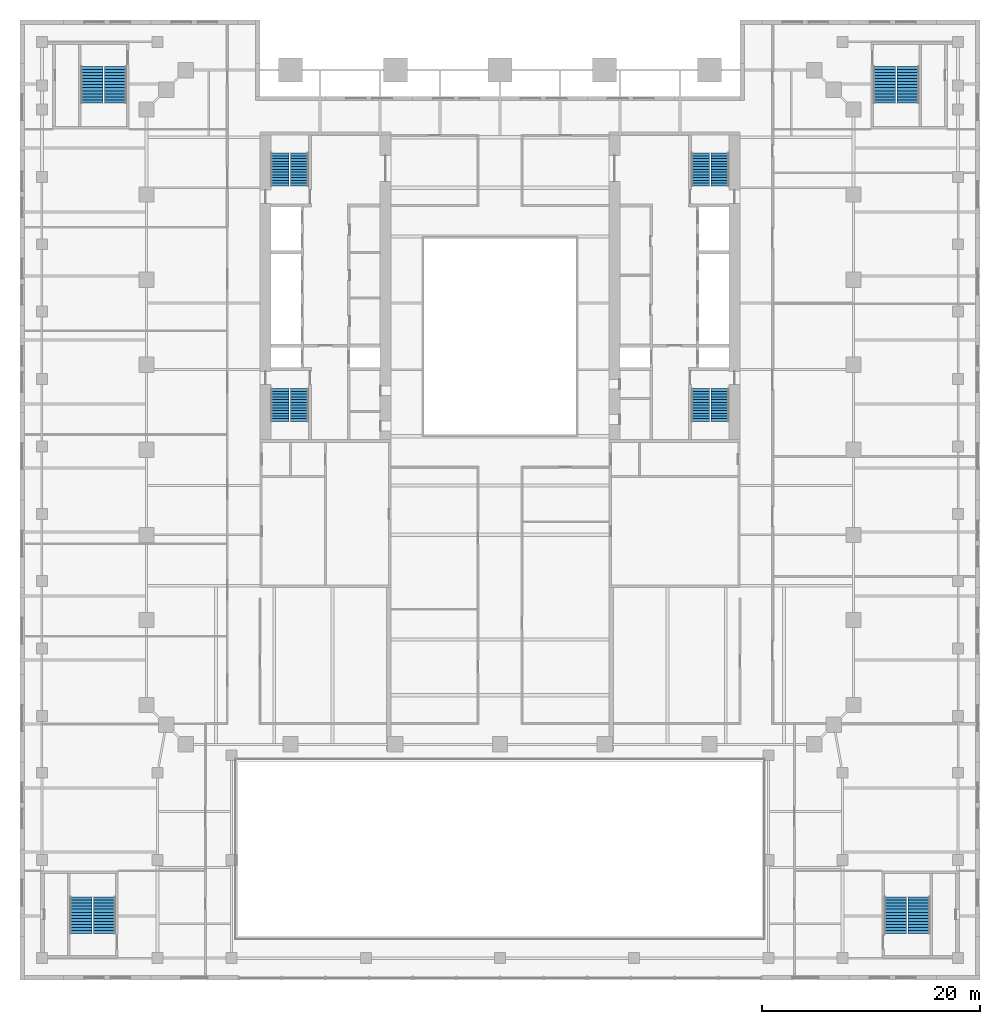
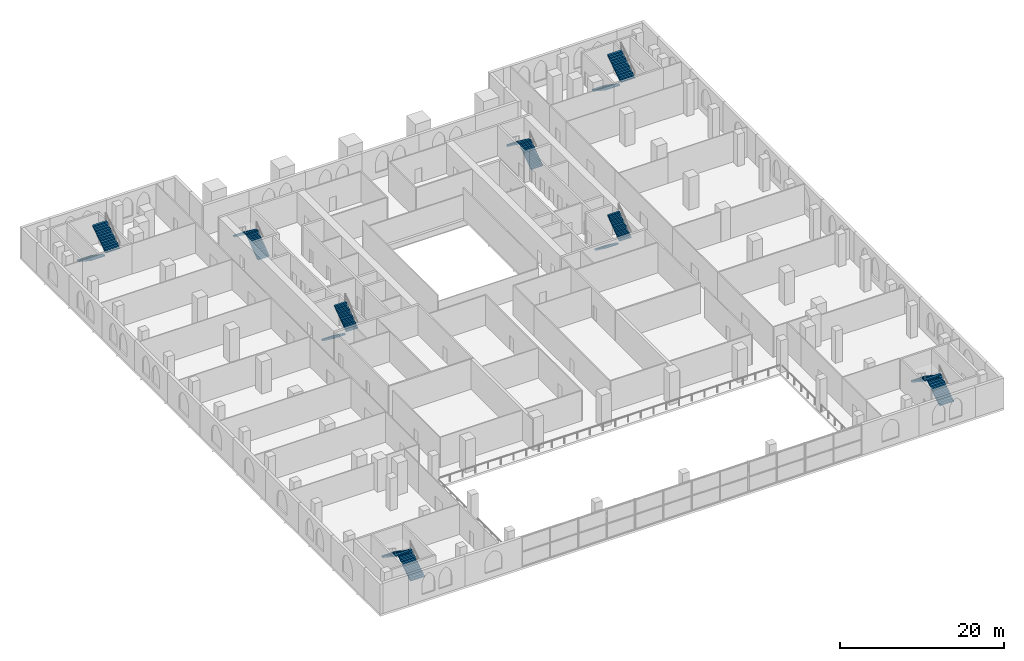
# One storey, part 18 of 19: 16 stair flights, 8 elements without a shape of their own.
"""IFC4 building model written with IfcOpenShell, lengths in metres."""

from ifc_helpers import new_model, si_unit, direction, frame, origin, place, context, subcontext, project, spatial, polyline, outline, extrude, material, type_object, element, aggregate, save


model = new_model("IFC4")

# Units and contexts
model_context = context("Model", 3, precision=1e-05, world=origin(), true_north=direction((0.0, 1.0)))
body_context = subcontext(model_context, "Body", "Model", "MODEL_VIEW")
ifc_project = project(units=[si_unit("LENGTHUNIT", "METRE"), si_unit("AREAUNIT", "SQUARE_METRE"), si_unit("VOLUMEUNIT", "CUBIC_METRE"), si_unit("PLANEANGLEUNIT", "RADIAN"), si_unit("MASSUNIT", "GRAM", prefix="KILO")], contexts=[model_context])

# Site, building, storey
site_placement = place(None, origin())
site = spatial("IfcSite", under=ifc_project, at=site_placement, CompositionType="ELEMENT")
building_placement = place(site_placement, origin())
building = spatial("IfcBuilding", under=site, at=building_placement, Name="Ogive Exchange Tower", CompositionType="ELEMENT")
storey_placement = place(building_placement, frame((0.0, 0.0, 19.199951171875)))
storey = spatial("IfcBuildingStorey", under=building, at=storey_placement, Name="L03", CompositionType="ELEMENT", Elevation=19.199951171875)

# Stair, stair flights
ifc_material = material(Name="Concrete C40/50", Category="concrete")
stair_type_1 = type_object("IfcStairType", Name="Exit stair 1650 wide", PredefinedType="HALF_TURN_STAIR", material=ifc_material)
stair_1_placement = place(storey_placement, origin())
stair_1 = element("IfcStair", 1, at=stair_1_placement, inside=storey, type_object=stair_type_1, Name="L03 exit stair ST1", PredefinedType="HALF_TURN_STAIR")
stair_flight_type_1 = type_object("IfcStairFlightType", Name="Stair flight 1650 wide", PredefinedType="STRAIGHT", material=ifc_material)
stair_flight_1_placement = place(storey_placement, frame((-20.175048828125, 2.199951171875, 0.0), z_axis=(0.0, 0.0, 1.0), x_axis=(0.0, -1.0, 0.0)))
stair_flight_1 = element("IfcStairFlight", 2, at=stair_flight_1_placement, type_object=stair_flight_type_1, Name="ST1 flight 1", NumberOfRisers=13, NumberOfTreads=12, PredefinedType="STRAIGHT", RiserHeight=0.184615385, TreadLength=0.25, context=body_context, shape_type="SweptSolid", body=[
    extrude(outline(polyline([(0.0, 0.0), (0.0, 0.1845703125), (0.25, 0.1845703125), (0.25, 0.369140625), (0.5, 0.369140625), (0.5, 0.553955078125), (0.75, 0.553955078125), (0.75, 0.738525390625), (1.0, 0.738525390625), (1.0, 0.923095703125), (1.25, 0.923095703125), (1.25, 1.107666015625), (1.5, 1.107666015625), (1.5, 1.292236328125), (1.75, 1.292236328125), (1.75, 1.476806640625), (2.0, 1.476806640625), (2.0, 1.66162109375), (2.25, 1.66162109375), (2.25, 1.84619140625), (2.5, 1.84619140625), (2.5, 2.03076171875), (2.75, 2.03076171875), (2.75, 2.21533203125), (3.0, 2.21533203125), (3.0, 2.39990234375), (3.0, 2.029052734375), (0.25244140625, 0.0), (0.0, 0.0)])), frame((0.0, 0.824951171875, 0.0), z_axis=(0.0, -1.0, 0.0), x_axis=(1.0, 0.0, 0.0)), (0.0, 0.0, 1.0), 1.64990234375),
])
stair_flight_2_placement = place(storey_placement, frame((-18.375, -0.800048828125, 2.400146484375), z_axis=(0.0, 0.0, 1.0), x_axis=(0.0, 1.0, 0.0)))
stair_flight_2 = element("IfcStairFlight", 3, at=stair_flight_2_placement, type_object=stair_flight_type_1, Name="ST1 flight 2", NumberOfRisers=13, NumberOfTreads=12, PredefinedType="STRAIGHT", RiserHeight=0.184615385, TreadLength=0.25, context=body_context, shape_type="SweptSolid", body=[
    extrude(outline(polyline([(0.0, 0.0), (0.0, 0.1845703125), (0.25, 0.1845703125), (0.25, 0.369140625), (0.5, 0.369140625), (0.5, 0.553955078125), (0.75, 0.553955078125), (0.75, 0.738525390625), (1.0, 0.738525390625), (1.0, 0.923095703125), (1.25, 0.923095703125), (1.25, 1.107666015625), (1.5, 1.107666015625), (1.5, 1.292236328125), (1.75, 1.292236328125), (1.75, 1.476806640625), (2.0, 1.476806640625), (2.0, 1.66162109375), (2.25, 1.66162109375), (2.25, 1.84619140625), (2.5, 1.84619140625), (2.5, 2.03076171875), (2.75, 2.03076171875), (2.75, 2.21533203125), (3.0, 2.21533203125), (3.0, 2.39990234375), (3.0, 2.029052734375), (0.25244140625, 0.0), (0.0, 0.0)])), frame((0.0, 0.824951171875, 0.0), z_axis=(0.0, -1.0, 0.0), x_axis=(1.0, 0.0, 0.0)), (0.0, 0.0, 1.0), 1.64990234375),
])
aggregate(stair_1, [stair_flight_1, stair_flight_2])

stair_2_placement = place(storey_placement, origin())
stair_2 = element("IfcStair", 4, at=stair_2_placement, inside=storey, type_object=stair_type_1, Name="L03 exit stair ST2", PredefinedType="HALF_TURN_STAIR")
stair_flight_3_placement = place(storey_placement, frame((-18.375, 20.800048828125, 0.0), z_axis=(0.0, 0.0, 1.0), x_axis=(0.0, 1.0, 0.0)))
stair_flight_3 = element("IfcStairFlight", 5, at=stair_flight_3_placement, type_object=stair_flight_type_1, Name="ST2 flight 1", NumberOfRisers=13, NumberOfTreads=12, PredefinedType="STRAIGHT", RiserHeight=0.184615385, TreadLength=0.25, context=body_context, shape_type="SweptSolid", body=[
    extrude(outline(polyline([(0.0, 0.0), (0.0, 0.1845703125), (0.25, 0.1845703125), (0.25, 0.369140625), (0.5, 0.369140625), (0.5, 0.553955078125), (0.75, 0.553955078125), (0.75, 0.738525390625), (1.0, 0.738525390625), (1.0, 0.923095703125), (1.25, 0.923095703125), (1.25, 1.107666015625), (1.5, 1.107666015625), (1.5, 1.292236328125), (1.75, 1.292236328125), (1.75, 1.476806640625), (2.0, 1.476806640625), (2.0, 1.66162109375), (2.25, 1.66162109375), (2.25, 1.84619140625), (2.5, 1.84619140625), (2.5, 2.03076171875), (2.75, 2.03076171875), (2.75, 2.21533203125), (3.0, 2.21533203125), (3.0, 2.39990234375), (3.0, 2.029052734375), (0.25244140625, 0.0), (0.0, 0.0)])), frame((0.0, 0.824951171875, 0.0), z_axis=(0.0, -1.0, 0.0), x_axis=(1.0, 0.0, 0.0)), (0.0, 0.0, 1.0), 1.64990234375),
])
stair_flight_4_placement = place(storey_placement, frame((-20.175048828125, 23.800048828125, 2.400146484375), z_axis=(0.0, 0.0, 1.0), x_axis=(0.0, -1.0, 0.0)))
stair_flight_4 = element("IfcStairFlight", 6, at=stair_flight_4_placement, type_object=stair_flight_type_1, Name="ST2 flight 2", NumberOfRisers=13, NumberOfTreads=12, PredefinedType="STRAIGHT", RiserHeight=0.184615385, TreadLength=0.25, context=body_context, shape_type="SweptSolid", body=[
    extrude(outline(polyline([(0.0, 0.0), (0.0, 0.1845703125), (0.25, 0.1845703125), (0.25, 0.369140625), (0.5, 0.369140625), (0.5, 0.553955078125), (0.75, 0.553955078125), (0.75, 0.738525390625), (1.0, 0.738525390625), (1.0, 0.923095703125), (1.25, 0.923095703125), (1.25, 1.107666015625), (1.5, 1.107666015625), (1.5, 1.292236328125), (1.75, 1.292236328125), (1.75, 1.476806640625), (2.0, 1.476806640625), (2.0, 1.66162109375), (2.25, 1.66162109375), (2.25, 1.84619140625), (2.5, 1.84619140625), (2.5, 2.03076171875), (2.75, 2.03076171875), (2.75, 2.21533203125), (3.0, 2.21533203125), (3.0, 2.39990234375), (3.0, 2.029052734375), (0.25244140625, 0.0), (0.0, 0.0)])), frame((0.0, 0.824951171875, 0.0), z_axis=(0.0, -1.0, 0.0), x_axis=(1.0, 0.0, 0.0)), (0.0, 0.0, 1.0), 1.64990234375),
])
aggregate(stair_2, [stair_flight_3, stair_flight_4])

stair_3_placement = place(storey_placement, origin())
stair_3 = element("IfcStair", 7, at=stair_3_placement, inside=storey, type_object=stair_type_1, Name="L03 exit stair ST3", PredefinedType="HALF_TURN_STAIR")
stair_flight_5_placement = place(storey_placement, frame((18.375, 2.199951171875, 0.0), z_axis=(0.0, 0.0, 1.0), x_axis=(0.0, -1.0, 0.0)))
stair_flight_5 = element("IfcStairFlight", 8, at=stair_flight_5_placement, type_object=stair_flight_type_1, Name="ST3 flight 1", NumberOfRisers=13, NumberOfTreads=12, PredefinedType="STRAIGHT", RiserHeight=0.184615385, TreadLength=0.25, context=body_context, shape_type="SweptSolid", body=[
    extrude(outline(polyline([(0.0, 0.0), (0.0, 0.1845703125), (0.25, 0.1845703125), (0.25, 0.369140625), (0.5, 0.369140625), (0.5, 0.553955078125), (0.75, 0.553955078125), (0.75, 0.738525390625), (1.0, 0.738525390625), (1.0, 0.923095703125), (1.25, 0.923095703125), (1.25, 1.107666015625), (1.5, 1.107666015625), (1.5, 1.292236328125), (1.75, 1.292236328125), (1.75, 1.476806640625), (2.0, 1.476806640625), (2.0, 1.66162109375), (2.25, 1.66162109375), (2.25, 1.84619140625), (2.5, 1.84619140625), (2.5, 2.03076171875), (2.75, 2.03076171875), (2.75, 2.21533203125), (3.0, 2.21533203125), (3.0, 2.39990234375), (3.0, 2.029052734375), (0.25244140625, 0.0), (0.0, 0.0)])), frame((0.0, 0.824951171875, 0.0), z_axis=(0.0, -1.0, 0.0), x_axis=(1.0, 0.0, 0.0)), (0.0, 0.0, 1.0), 1.64990234375),
])
stair_flight_6_placement = place(storey_placement, frame((20.175048828125, -0.800048828125, 2.400146484375), z_axis=(0.0, 0.0, 1.0), x_axis=(0.0, 1.0, 0.0)))
stair_flight_6 = element("IfcStairFlight", 9, at=stair_flight_6_placement, type_object=stair_flight_type_1, Name="ST3 flight 2", NumberOfRisers=13, NumberOfTreads=12, PredefinedType="STRAIGHT", RiserHeight=0.184615385, TreadLength=0.25, context=body_context, shape_type="SweptSolid", body=[
    extrude(outline(polyline([(0.0, 0.0), (0.0, 0.1845703125), (0.25, 0.1845703125), (0.25, 0.369140625), (0.5, 0.369140625), (0.5, 0.553955078125), (0.75, 0.553955078125), (0.75, 0.738525390625), (1.0, 0.738525390625), (1.0, 0.923095703125), (1.25, 0.923095703125), (1.25, 1.107666015625), (1.5, 1.107666015625), (1.5, 1.292236328125), (1.75, 1.292236328125), (1.75, 1.476806640625), (2.0, 1.476806640625), (2.0, 1.66162109375), (2.25, 1.66162109375), (2.25, 1.84619140625), (2.5, 1.84619140625), (2.5, 2.03076171875), (2.75, 2.03076171875), (2.75, 2.21533203125), (3.0, 2.21533203125), (3.0, 2.39990234375), (3.0, 2.029052734375), (0.25244140625, 0.0), (0.0, 0.0)])), frame((0.0, 0.824951171875, 0.0), z_axis=(0.0, -1.0, 0.0), x_axis=(1.0, 0.0, 0.0)), (0.0, 0.0, 1.0), 1.64990234375),
])
aggregate(stair_3, [stair_flight_5, stair_flight_6])

stair_4_placement = place(storey_placement, origin())
stair_4 = element("IfcStair", 10, at=stair_4_placement, inside=storey, type_object=stair_type_1, Name="L03 exit stair ST4", PredefinedType="HALF_TURN_STAIR")
stair_flight_7_placement = place(storey_placement, frame((20.175048828125, 20.800048828125, 0.0), z_axis=(0.0, 0.0, 1.0), x_axis=(0.0, 1.0, 0.0)))
stair_flight_7 = element("IfcStairFlight", 11, at=stair_flight_7_placement, type_object=stair_flight_type_1, Name="ST4 flight 1", NumberOfRisers=13, NumberOfTreads=12, PredefinedType="STRAIGHT", RiserHeight=0.184615385, TreadLength=0.25, context=body_context, shape_type="SweptSolid", body=[
    extrude(outline(polyline([(0.0, 0.0), (0.0, 0.1845703125), (0.25, 0.1845703125), (0.25, 0.369140625), (0.5, 0.369140625), (0.5, 0.553955078125), (0.75, 0.553955078125), (0.75, 0.738525390625), (1.0, 0.738525390625), (1.0, 0.923095703125), (1.25, 0.923095703125), (1.25, 1.107666015625), (1.5, 1.107666015625), (1.5, 1.292236328125), (1.75, 1.292236328125), (1.75, 1.476806640625), (2.0, 1.476806640625), (2.0, 1.66162109375), (2.25, 1.66162109375), (2.25, 1.84619140625), (2.5, 1.84619140625), (2.5, 2.03076171875), (2.75, 2.03076171875), (2.75, 2.21533203125), (3.0, 2.21533203125), (3.0, 2.39990234375), (3.0, 2.029052734375), (0.25244140625, 0.0), (0.0, 0.0)])), frame((0.0, 0.824951171875, 0.0), z_axis=(0.0, -1.0, 0.0), x_axis=(1.0, 0.0, 0.0)), (0.0, 0.0, 1.0), 1.64990234375),
])
stair_flight_8_placement = place(storey_placement, frame((18.375, 23.800048828125, 2.400146484375), z_axis=(0.0, 0.0, 1.0), x_axis=(0.0, -1.0, 0.0)))
stair_flight_8 = element("IfcStairFlight", 12, at=stair_flight_8_placement, type_object=stair_flight_type_1, Name="ST4 flight 2", NumberOfRisers=13, NumberOfTreads=12, PredefinedType="STRAIGHT", RiserHeight=0.184615385, TreadLength=0.25, context=body_context, shape_type="SweptSolid", body=[
    extrude(outline(polyline([(0.0, 0.0), (0.0, 0.1845703125), (0.25, 0.1845703125), (0.25, 0.369140625), (0.5, 0.369140625), (0.5, 0.553955078125), (0.75, 0.553955078125), (0.75, 0.738525390625), (1.0, 0.738525390625), (1.0, 0.923095703125), (1.25, 0.923095703125), (1.25, 1.107666015625), (1.5, 1.107666015625), (1.5, 1.292236328125), (1.75, 1.292236328125), (1.75, 1.476806640625), (2.0, 1.476806640625), (2.0, 1.66162109375), (2.25, 1.66162109375), (2.25, 1.84619140625), (2.5, 1.84619140625), (2.5, 2.03076171875), (2.75, 2.03076171875), (2.75, 2.21533203125), (3.0, 2.21533203125), (3.0, 2.39990234375), (3.0, 2.029052734375), (0.25244140625, 0.0), (0.0, 0.0)])), frame((0.0, 0.824951171875, 0.0), z_axis=(0.0, -1.0, 0.0), x_axis=(1.0, 0.0, 0.0)), (0.0, 0.0, 1.0), 1.64990234375),
])
aggregate(stair_4, [stair_flight_7, stair_flight_8])

stair_type_2 = type_object("IfcStairType", Name="Exit stair 2000 wide", PredefinedType="HALF_TURN_STAIR", material=ifc_material)
stair_5_placement = place(storey_placement, origin())
stair_5 = element("IfcStair", 13, at=stair_5_placement, inside=storey, type_object=stair_type_2, Name="L03 exit stair PS1", PredefinedType="HALF_TURN_STAIR")
stair_flight_type_2 = type_object("IfcStairFlightType", Name="Stair flight 2000 wide", PredefinedType="STRAIGHT", material=ifc_material)
stair_flight_9_placement = place(storey_placement, frame((-36.25, -47.75, 0.0), z_axis=(0.0, 0.0, 1.0), x_axis=(0.0, 1.0, 0.0)))
stair_flight_9 = element("IfcStairFlight", 14, at=stair_flight_9_placement, type_object=stair_flight_type_2, Name="PS1 flight 1", NumberOfRisers=13, NumberOfTreads=12, PredefinedType="STRAIGHT", RiserHeight=0.184615385, TreadLength=0.28, context=body_context, shape_type="SweptSolid", body=[
    extrude(outline(polyline([(0.0, 0.0), (0.0, 0.1845703125), (0.280029296875, 0.1845703125), (0.280029296875, 0.369140625), (0.56005859375, 0.369140625), (0.56005859375, 0.553955078125), (0.840087890625, 0.553955078125), (0.840087890625, 0.738525390625), (1.1201171875, 0.738525390625), (1.1201171875, 0.923095703125), (1.39990234375, 0.923095703125), (1.39990234375, 1.107666015625), (1.679931640625, 1.107666015625), (1.679931640625, 1.292236328125), (1.9599609375, 1.292236328125), (1.9599609375, 1.476806640625), (2.239990234375, 1.476806640625), (2.239990234375, 1.66162109375), (2.52001953125, 1.66162109375), (2.52001953125, 1.84619140625), (2.800048828125, 1.84619140625), (2.800048828125, 2.03076171875), (3.080078125, 2.03076171875), (3.080078125, 2.21533203125), (3.360107421875, 2.21533203125), (3.360107421875, 2.39990234375), (3.360107421875, 2.035888671875), (0.272216796875, 0.0), (0.0, 0.0)])), frame((0.0, 1.0, 0.0), z_axis=(0.0, -1.0, 0.0), x_axis=(1.0, 0.0, 0.0)), (0.0, 0.0, 1.0), 2.0),
])
stair_flight_10_placement = place(storey_placement, frame((-38.39990234375, -44.389892578125, 2.400146484375), z_axis=(0.0, 0.0, 1.0), x_axis=(0.0, -1.0, 0.0)))
stair_flight_10 = element("IfcStairFlight", 15, at=stair_flight_10_placement, type_object=stair_flight_type_2, Name="PS1 flight 2", NumberOfRisers=13, NumberOfTreads=12, PredefinedType="STRAIGHT", RiserHeight=0.184615385, TreadLength=0.28, context=body_context, shape_type="SweptSolid", body=[
    extrude(outline(polyline([(0.0, 0.0), (0.0, 0.1845703125), (0.280029296875, 0.1845703125), (0.280029296875, 0.369140625), (0.56005859375, 0.369140625), (0.56005859375, 0.553955078125), (0.840087890625, 0.553955078125), (0.840087890625, 0.738525390625), (1.1201171875, 0.738525390625), (1.1201171875, 0.923095703125), (1.39990234375, 0.923095703125), (1.39990234375, 1.107666015625), (1.679931640625, 1.107666015625), (1.679931640625, 1.292236328125), (1.9599609375, 1.292236328125), (1.9599609375, 1.476806640625), (2.239990234375, 1.476806640625), (2.239990234375, 1.66162109375), (2.52001953125, 1.66162109375), (2.52001953125, 1.84619140625), (2.800048828125, 1.84619140625), (2.800048828125, 2.03076171875), (3.080078125, 2.03076171875), (3.080078125, 2.21533203125), (3.360107421875, 2.21533203125), (3.360107421875, 2.39990234375), (3.360107421875, 2.035888671875), (0.272216796875, 0.0), (0.0, 0.0)])), frame((0.0, 1.0, 0.0), z_axis=(0.0, -1.0, 0.0), x_axis=(1.0, 0.0, 0.0)), (0.0, 0.0, 1.0), 2.0),
])
aggregate(stair_5, [stair_flight_9, stair_flight_10])

stair_6_placement = place(storey_placement, origin())
stair_6 = element("IfcStair", 16, at=stair_6_placement, inside=storey, type_object=stair_type_2, Name="L03 exit stair PS2", PredefinedType="HALF_TURN_STAIR")
stair_flight_11_placement = place(storey_placement, frame((38.39990234375, -47.75, 0.0), z_axis=(0.0, 0.0, 1.0), x_axis=(0.0, 1.0, 0.0)))
stair_flight_11 = element("IfcStairFlight", 17, at=stair_flight_11_placement, type_object=stair_flight_type_2, Name="PS2 flight 1", NumberOfRisers=13, NumberOfTreads=12, PredefinedType="STRAIGHT", RiserHeight=0.184615385, TreadLength=0.28, context=body_context, shape_type="SweptSolid", body=[
    extrude(outline(polyline([(0.0, 0.0), (0.0, 0.1845703125), (0.280029296875, 0.1845703125), (0.280029296875, 0.369140625), (0.56005859375, 0.369140625), (0.56005859375, 0.553955078125), (0.840087890625, 0.553955078125), (0.840087890625, 0.738525390625), (1.1201171875, 0.738525390625), (1.1201171875, 0.923095703125), (1.39990234375, 0.923095703125), (1.39990234375, 1.107666015625), (1.679931640625, 1.107666015625), (1.679931640625, 1.292236328125), (1.9599609375, 1.292236328125), (1.9599609375, 1.476806640625), (2.239990234375, 1.476806640625), (2.239990234375, 1.66162109375), (2.52001953125, 1.66162109375), (2.52001953125, 1.84619140625), (2.800048828125, 1.84619140625), (2.800048828125, 2.03076171875), (3.080078125, 2.03076171875), (3.080078125, 2.21533203125), (3.360107421875, 2.21533203125), (3.360107421875, 2.39990234375), (3.360107421875, 2.035888671875), (0.272216796875, 0.0), (0.0, 0.0)])), frame((0.0, 1.0, 0.0), z_axis=(0.0, -1.0, 0.0), x_axis=(1.0, 0.0, 0.0)), (0.0, 0.0, 1.0), 2.0),
])
stair_flight_12_placement = place(storey_placement, frame((36.25, -44.389892578125, 2.400146484375), z_axis=(0.0, 0.0, 1.0), x_axis=(0.0, -1.0, 0.0)))
stair_flight_12 = element("IfcStairFlight", 18, at=stair_flight_12_placement, type_object=stair_flight_type_2, Name="PS2 flight 2", NumberOfRisers=13, NumberOfTreads=12, PredefinedType="STRAIGHT", RiserHeight=0.184615385, TreadLength=0.28, context=body_context, shape_type="SweptSolid", body=[
    extrude(outline(polyline([(0.0, 0.0), (0.0, 0.1845703125), (0.280029296875, 0.1845703125), (0.280029296875, 0.369140625), (0.56005859375, 0.369140625), (0.56005859375, 0.553955078125), (0.840087890625, 0.553955078125), (0.840087890625, 0.738525390625), (1.1201171875, 0.738525390625), (1.1201171875, 0.923095703125), (1.39990234375, 0.923095703125), (1.39990234375, 1.107666015625), (1.679931640625, 1.107666015625), (1.679931640625, 1.292236328125), (1.9599609375, 1.292236328125), (1.9599609375, 1.476806640625), (2.239990234375, 1.476806640625), (2.239990234375, 1.66162109375), (2.52001953125, 1.66162109375), (2.52001953125, 1.84619140625), (2.800048828125, 1.84619140625), (2.800048828125, 2.03076171875), (3.080078125, 2.03076171875), (3.080078125, 2.21533203125), (3.360107421875, 2.21533203125), (3.360107421875, 2.39990234375), (3.360107421875, 2.035888671875), (0.272216796875, 0.0), (0.0, 0.0)])), frame((0.0, 1.0, 0.0), z_axis=(0.0, -1.0, 0.0), x_axis=(1.0, 0.0, 0.0)), (0.0, 0.0, 1.0), 2.0),
])
aggregate(stair_6, [stair_flight_11, stair_flight_12])

stair_7_placement = place(storey_placement, origin())
stair_7 = element("IfcStair", 19, at=stair_7_placement, inside=storey, type_object=stair_type_2, Name="L03 exit stair PS3", PredefinedType="HALF_TURN_STAIR")
stair_flight_13_placement = place(storey_placement, frame((-37.39990234375, 31.75, 0.0), z_axis=(0.0, 0.0, 1.0), x_axis=(0.0, -1.0, 0.0)))
stair_flight_13 = element("IfcStairFlight", 20, at=stair_flight_13_placement, type_object=stair_flight_type_2, Name="PS3 flight 1", NumberOfRisers=13, NumberOfTreads=12, PredefinedType="STRAIGHT", RiserHeight=0.184615385, TreadLength=0.28, context=body_context, shape_type="SweptSolid", body=[
    extrude(outline(polyline([(0.0, 0.0), (0.0, 0.1845703125), (0.280029296875, 0.1845703125), (0.280029296875, 0.369140625), (0.56005859375, 0.369140625), (0.56005859375, 0.553955078125), (0.840087890625, 0.553955078125), (0.840087890625, 0.738525390625), (1.1201171875, 0.738525390625), (1.1201171875, 0.923095703125), (1.39990234375, 0.923095703125), (1.39990234375, 1.107666015625), (1.679931640625, 1.107666015625), (1.679931640625, 1.292236328125), (1.9599609375, 1.292236328125), (1.9599609375, 1.476806640625), (2.239990234375, 1.476806640625), (2.239990234375, 1.66162109375), (2.52001953125, 1.66162109375), (2.52001953125, 1.84619140625), (2.800048828125, 1.84619140625), (2.800048828125, 2.03076171875), (3.080078125, 2.03076171875), (3.080078125, 2.21533203125), (3.360107421875, 2.21533203125), (3.360107421875, 2.39990234375), (3.360107421875, 2.035888671875), (0.272216796875, 0.0), (0.0, 0.0)])), frame((0.0, 1.0, 0.0), z_axis=(0.0, -1.0, 0.0), x_axis=(1.0, 0.0, 0.0)), (0.0, 0.0, 1.0), 2.0),
])
stair_flight_14_placement = place(storey_placement, frame((-35.25, 28.389892578125, 2.400146484375), z_axis=(0.0, 0.0, 1.0), x_axis=(0.0, 1.0, 0.0)))
stair_flight_14 = element("IfcStairFlight", 21, at=stair_flight_14_placement, type_object=stair_flight_type_2, Name="PS3 flight 2", NumberOfRisers=13, NumberOfTreads=12, PredefinedType="STRAIGHT", RiserHeight=0.184615385, TreadLength=0.28, context=body_context, shape_type="SweptSolid", body=[
    extrude(outline(polyline([(0.0, 0.0), (0.0, 0.1845703125), (0.280029296875, 0.1845703125), (0.280029296875, 0.369140625), (0.56005859375, 0.369140625), (0.56005859375, 0.553955078125), (0.840087890625, 0.553955078125), (0.840087890625, 0.738525390625), (1.1201171875, 0.738525390625), (1.1201171875, 0.923095703125), (1.39990234375, 0.923095703125), (1.39990234375, 1.107666015625), (1.679931640625, 1.107666015625), (1.679931640625, 1.292236328125), (1.9599609375, 1.292236328125), (1.9599609375, 1.476806640625), (2.239990234375, 1.476806640625), (2.239990234375, 1.66162109375), (2.52001953125, 1.66162109375), (2.52001953125, 1.84619140625), (2.800048828125, 1.84619140625), (2.800048828125, 2.03076171875), (3.080078125, 2.03076171875), (3.080078125, 2.21533203125), (3.360107421875, 2.21533203125), (3.360107421875, 2.39990234375), (3.360107421875, 2.035888671875), (0.272216796875, 0.0), (0.0, 0.0)])), frame((0.0, 1.0, 0.0), z_axis=(0.0, -1.0, 0.0), x_axis=(1.0, 0.0, 0.0)), (0.0, 0.0, 1.0), 2.0),
])
aggregate(stair_7, [stair_flight_13, stair_flight_14])

stair_8_placement = place(storey_placement, origin())
stair_8 = element("IfcStair", 22, at=stair_8_placement, inside=storey, type_object=stair_type_2, Name="L03 exit stair PS4", PredefinedType="HALF_TURN_STAIR")
stair_flight_15_placement = place(storey_placement, frame((35.25, 31.75, 0.0), z_axis=(0.0, 0.0, 1.0), x_axis=(0.0, -1.0, 0.0)))
stair_flight_15 = element("IfcStairFlight", 23, at=stair_flight_15_placement, type_object=stair_flight_type_2, Name="PS4 flight 1", NumberOfRisers=13, NumberOfTreads=12, PredefinedType="STRAIGHT", RiserHeight=0.184615385, TreadLength=0.28, context=body_context, shape_type="SweptSolid", body=[
    extrude(outline(polyline([(0.0, 0.0), (0.0, 0.1845703125), (0.280029296875, 0.1845703125), (0.280029296875, 0.369140625), (0.56005859375, 0.369140625), (0.56005859375, 0.553955078125), (0.840087890625, 0.553955078125), (0.840087890625, 0.738525390625), (1.1201171875, 0.738525390625), (1.1201171875, 0.923095703125), (1.39990234375, 0.923095703125), (1.39990234375, 1.107666015625), (1.679931640625, 1.107666015625), (1.679931640625, 1.292236328125), (1.9599609375, 1.292236328125), (1.9599609375, 1.476806640625), (2.239990234375, 1.476806640625), (2.239990234375, 1.66162109375), (2.52001953125, 1.66162109375), (2.52001953125, 1.84619140625), (2.800048828125, 1.84619140625), (2.800048828125, 2.03076171875), (3.080078125, 2.03076171875), (3.080078125, 2.21533203125), (3.360107421875, 2.21533203125), (3.360107421875, 2.39990234375), (3.360107421875, 2.035888671875), (0.272216796875, 0.0), (0.0, 0.0)])), frame((0.0, 1.0, 0.0), z_axis=(0.0, -1.0, 0.0), x_axis=(1.0, 0.0, 0.0)), (0.0, 0.0, 1.0), 2.0),
])
stair_flight_16_placement = place(storey_placement, frame((37.39990234375, 28.389892578125, 2.400146484375), z_axis=(0.0, 0.0, 1.0), x_axis=(0.0, 1.0, 0.0)))
stair_flight_16 = element("IfcStairFlight", 24, at=stair_flight_16_placement, type_object=stair_flight_type_2, Name="PS4 flight 2", NumberOfRisers=13, NumberOfTreads=12, PredefinedType="STRAIGHT", RiserHeight=0.184615385, TreadLength=0.28, context=body_context, shape_type="SweptSolid", body=[
    extrude(outline(polyline([(0.0, 0.0), (0.0, 0.1845703125), (0.280029296875, 0.1845703125), (0.280029296875, 0.369140625), (0.56005859375, 0.369140625), (0.56005859375, 0.553955078125), (0.840087890625, 0.553955078125), (0.840087890625, 0.738525390625), (1.1201171875, 0.738525390625), (1.1201171875, 0.923095703125), (1.39990234375, 0.923095703125), (1.39990234375, 1.107666015625), (1.679931640625, 1.107666015625), (1.679931640625, 1.292236328125), (1.9599609375, 1.292236328125), (1.9599609375, 1.476806640625), (2.239990234375, 1.476806640625), (2.239990234375, 1.66162109375), (2.52001953125, 1.66162109375), (2.52001953125, 1.84619140625), (2.800048828125, 1.84619140625), (2.800048828125, 2.03076171875), (3.080078125, 2.03076171875), (3.080078125, 2.21533203125), (3.360107421875, 2.21533203125), (3.360107421875, 2.39990234375), (3.360107421875, 2.035888671875), (0.272216796875, 0.0), (0.0, 0.0)])), frame((0.0, 1.0, 0.0), z_axis=(0.0, -1.0, 0.0), x_axis=(1.0, 0.0, 0.0)), (0.0, 0.0, 1.0), 2.0),
])
aggregate(stair_8, [stair_flight_15, stair_flight_16])

save(model, "model.ifc")
